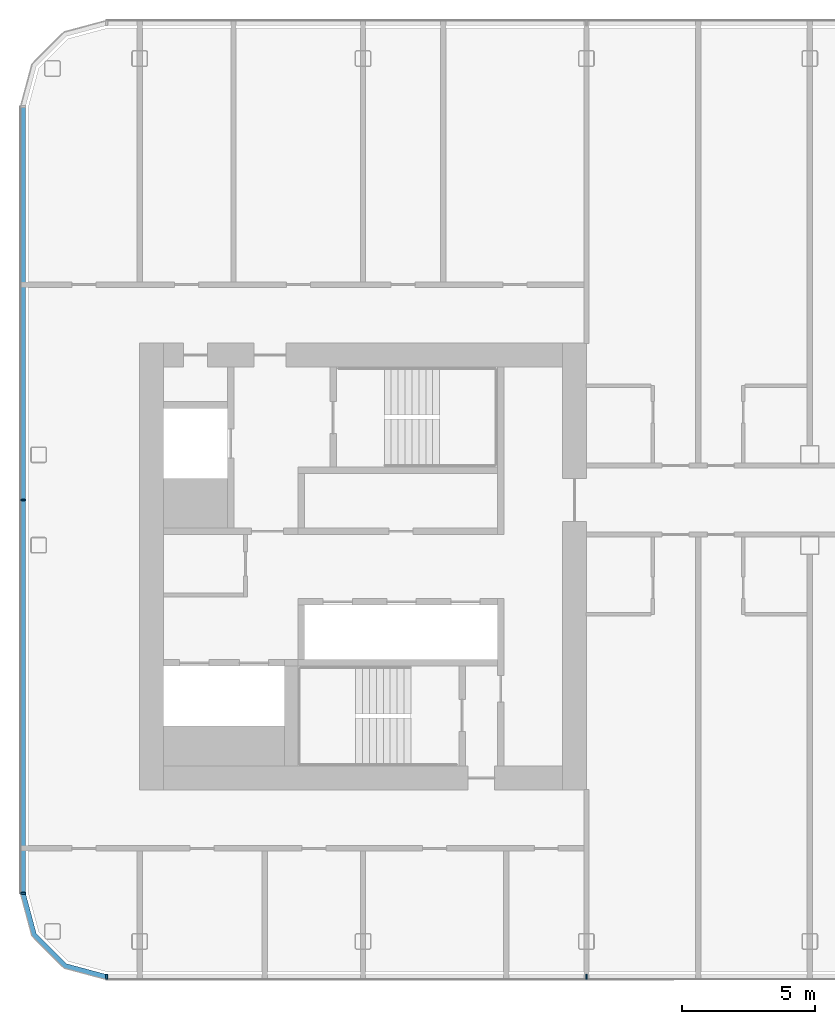
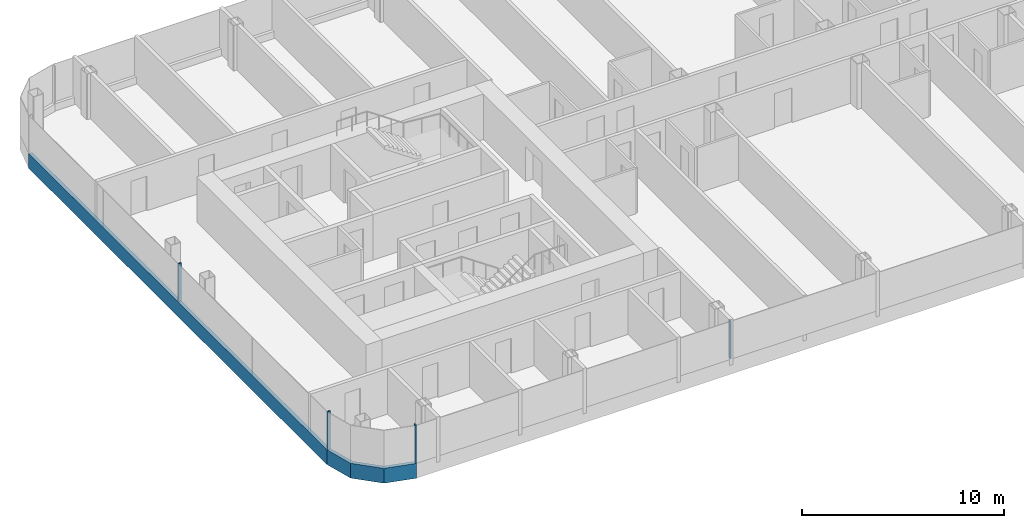
# One storey, part 2 of 26: 6 members, 3 elements without a shape of their own.
"""IFC4 building model written with IfcOpenShell, lengths in metres."""

from ifc_helpers import new_model, si_unit, direction, frame, origin, origin_2d, place, context, subcontext, project, spatial, polyline, rectangle, outline, extrude, material, layer, layer_set, material_profile, profile_set, type_object, element, aggregate, save


model = new_model("IFC4")

# Units and contexts
model_context = context("Model", 3, precision=1e-05, world=origin(), true_north=direction((0.0, 1.0)))
body_context = subcontext(model_context, "Body", "Model", "MODEL_VIEW")
ifc_project = project(units=[si_unit("LENGTHUNIT", "METRE"), si_unit("AREAUNIT", "SQUARE_METRE"), si_unit("VOLUMEUNIT", "CUBIC_METRE"), si_unit("PLANEANGLEUNIT", "RADIAN"), si_unit("MASSUNIT", "GRAM", prefix="KILO")], contexts=[model_context])

# Site, building, storey
site_placement = place(None, origin())
site = spatial("IfcSite", under=ifc_project, at=site_placement, CompositionType="ELEMENT")
building_placement = place(site_placement, origin())
building = spatial("IfcBuilding", under=site, at=building_placement, Name="Hakoniwa Tower and Hamabe Station Hall", CompositionType="ELEMENT")
storey_placement = place(building_placement, frame((0.0, 0.0, 196.199951171875)))
storey = spatial("IfcBuildingStorey", under=building, at=storey_placement, Name="L55", CompositionType="ELEMENT", Elevation=196.199951171875)

# Curtain wall, member
ifc_material_1 = material(Name="Dark low-e laminated glass", Category="glass")
ifc_layer = layer(ifc_material_1, 0.199951171875)
ifc_layer_set = layer_set([ifc_layer], Name="CW-1 UNITISED GUEST")
curtain_wall_type = type_object("IfcCurtainWallType", Name="CW-1 UNITISED GUEST", PredefinedType="NOTDEFINED", material=ifc_layer_set)
curtain_wall_1_placement = place(storey_placement, origin())
curtain_wall_1 = element("IfcCurtainWall", 1, at=curtain_wall_1_placement, inside=storey, type_object=curtain_wall_type, Name="CW-1 curtain wall", PredefinedType="NOTDEFINED")
ifc_material_2 = material(Name="Aluminium 6063-T5 black anodised", Category="aluminium")
ifc_material_profile_1 = material_profile(ifc_material_2, rectangle(XDim=0.199951171875, YDim=0.89990234375, at=origin_2d()), Name="CW SLAB-EDGE BAND 900X200")
ifc_profile_set_1 = profile_set([ifc_material_profile_1], Name="Aluminium 6063-T5 black anodised")
member_type_1 = type_object("IfcMemberType", Name="CW SLAB-EDGE BAND 900X200", PredefinedType="USERDEFINED", material=ifc_profile_set_1)
member_1_placement = place(storey_placement, frame((-38.0, 17.28955078125, -0.099853515625), z_axis=(0.0, -1.0, 0.0), x_axis=(1.0, 0.0, 0.0)))
member_1 = element("IfcMember", 2, at=member_1_placement, type_object=member_type_1, Name="CW-1 transom", ObjectType="TRANSOM", PredefinedType="USERDEFINED", context=body_context, shape_type="SweptSolid", body=[
    extrude(rectangle(XDim=0.199951171875, YDim=0.89990234375, at=origin_2d()), origin(), (0.0, 0.0, 1.0), 29.5791015625),
])

curtain_wall_2_placement = place(storey_placement, origin())
curtain_wall_2 = element("IfcCurtainWall", 3, at=curtain_wall_2_placement, inside=storey, type_object=curtain_wall_type, Name="CW-1 curtain wall", PredefinedType="NOTDEFINED")
member_2_placement = place(storey_placement, frame((0.0, 0.0, -0.550048828125)))
member_2 = element("IfcMember", 4, at=member_2_placement, type_object=member_type_1, Name="CW-1 transom", ObjectType="TRANSOM", PredefinedType="USERDEFINED", context=body_context, shape_type="SweptSolid", body=[
    extrude(outline(polyline([(-38.10009765625, -12.28955078125), (-37.6669921875, -13.9052734375), (-36.455322265625, -15.116943359375), (-34.839599609375, -15.550048828125), (-34.787841796875, -15.35693359375), (-36.351806640625, -14.937744140625), (-37.48779296875, -13.8017578125), (-37.90673828125, -12.23779296875), (-38.10009765625, -12.28955078125)])), origin(), (0.0, 0.0, 1.0), 0.900146484375),
])
aggregate(curtain_wall_2, [member_2])

# Member
ifc_material_3 = material(Name="Aluminium 6063-T5 black anodised", Category="aluminium")
ifc_material_profile_2 = material_profile(ifc_material_3, rectangle(XDim=0.06005859375, YDim=0.179931640625, at=origin_2d()), Name="CW-1 MULLION 60X180")
ifc_profile_set_2 = profile_set([ifc_material_profile_2], Name="Aluminium 6063-T5 black anodised")
member_type_2 = type_object("IfcMemberType", Name="CW-1 MULLION 60X180", PredefinedType="MULLION", material=ifc_profile_set_2)
member_3_placement = place(storey_placement, frame((-37.98193359375, 2.5, 0.35009765625), z_axis=(0.0, 0.0, 1.0), x_axis=(0.0, -1.0, 0.0)))
member_3 = element("IfcMember", 5, at=member_3_placement, type_object=member_type_2, Name="CW-1 mullion", PredefinedType="MULLION", context=body_context, shape_type="SweptSolid", body=[
    extrude(rectangle(XDim=0.06005859375, YDim=0.179931640625, at=origin_2d()), origin(), (0.0, 0.0, 1.0), 2.300048828125),
])

member_4_placement = place(storey_placement, frame((-37.98193359375, -12.28955078125, 0.35009765625), z_axis=(0.0, 0.0, 1.0), x_axis=(0.0, -1.0, 0.0)))
member_4 = element("IfcMember", 6, at=member_4_placement, type_object=member_type_2, Name="CW-1 mullion", PredefinedType="MULLION", context=body_context, shape_type="SweptSolid", body=[
    extrude(rectangle(XDim=0.06005859375, YDim=0.179931640625, at=origin_2d()), origin(), (0.0, 0.0, 1.0), 2.300048828125),
])

aggregate(curtain_wall_1, [member_3, member_4, member_1])

# Curtain wall, members
curtain_wall_3_placement = place(storey_placement, origin())
curtain_wall_3 = element("IfcCurtainWall", 7, at=curtain_wall_3_placement, inside=storey, type_object=curtain_wall_type, Name="CW-1 curtain wall", PredefinedType="NOTDEFINED")
member_5_placement = place(storey_placement, frame((-34.839599609375, -15.431884765625, 0.35009765625), z_axis=(0.0, 0.0, 1.0), x_axis=(1.0, 0.0, 0.0)))
member_5 = element("IfcMember", 8, at=member_5_placement, type_object=member_type_2, Name="CW-1 mullion", PredefinedType="MULLION", context=body_context, shape_type="SweptSolid", body=[
    extrude(rectangle(XDim=0.06005859375, YDim=0.179931640625, at=origin_2d()), origin(), (0.0, 0.0, 1.0), 2.300048828125),
])
member_6_placement = place(storey_placement, frame((-16.800048828125, -15.431884765625, 0.35009765625), z_axis=(0.0, 0.0, 1.0), x_axis=(1.0, 0.0, 0.0)))
member_6 = element("IfcMember", 9, at=member_6_placement, type_object=member_type_2, Name="CW-1 mullion", PredefinedType="MULLION", context=body_context, shape_type="SweptSolid", body=[
    extrude(rectangle(XDim=0.06005859375, YDim=0.179931640625, at=origin_2d()), origin(), (0.0, 0.0, 1.0), 2.300048828125),
])
aggregate(curtain_wall_3, [member_5, member_6])

save(model, "model.ifc")
